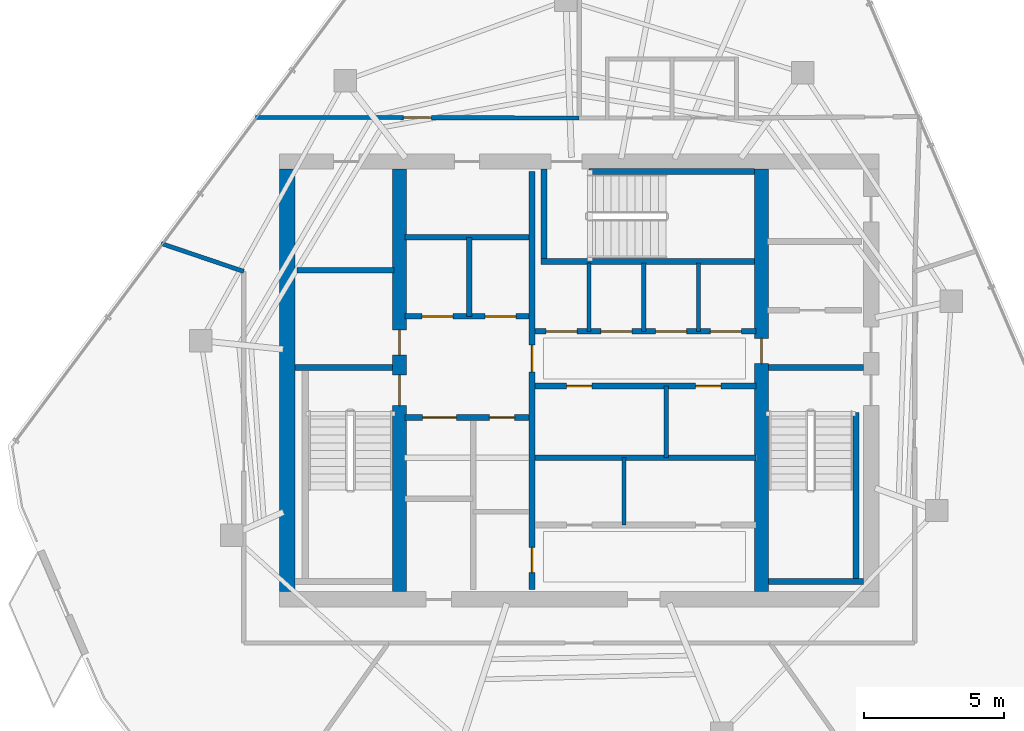
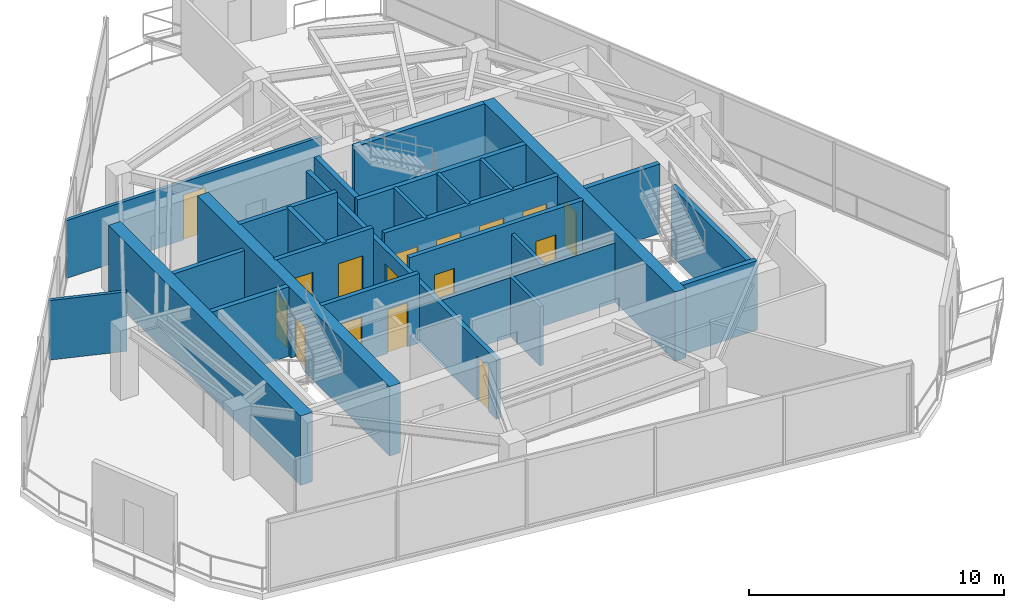
# One storey, part 14 of 18: 26 walls, 16 doors, 16 openings.
"""IFC4 building model written with IfcOpenShell, lengths in metres."""

from ifc_helpers import new_model, si_unit, direction, frame, frame_2d, origin, place, context, subcontext, project, spatial, rectangle, extrude, material, layer, layer_set, type_object, element, fill, save


model = new_model("IFC4")

# Units and contexts
model_context = context("Model", 3, precision=1e-05, world=origin(), true_north=direction((0.0, 1.0)))
body_context = subcontext(model_context, "Body", "Model", "MODEL_VIEW")
ifc_project = project(units=[si_unit("LENGTHUNIT", "METRE"), si_unit("AREAUNIT", "SQUARE_METRE"), si_unit("VOLUMEUNIT", "CUBIC_METRE"), si_unit("PLANEANGLEUNIT", "RADIAN"), si_unit("MASSUNIT", "GRAM", prefix="KILO")], contexts=[model_context])

# Site, building, storey
site_placement = place(None, origin())
site = spatial("IfcSite", under=ifc_project, at=site_placement, CompositionType="ELEMENT")
building_placement = place(site_placement, origin())
building = spatial("IfcBuilding", under=site, at=building_placement, Name="Qarnah Convention Tower", CompositionType="ELEMENT")
storey_placement = place(building_placement, frame((0.0, 0.0, 267.89990234375)))
storey = spatial("IfcBuildingStorey", under=building, at=storey_placement, Name="L72", CompositionType="ELEMENT", Elevation=267.89990234375)

# Wall
ifc_material_1 = material(Name="Concrete C60/75", Category="concrete")
ifc_layer_1 = layer(ifc_material_1, 0.550048828125)
ifc_layer_set_1 = layer_set([ifc_layer_1], Name="Concrete C60/75")
wall_type_1 = type_object("IfcWallType", Name="WL-CORE-550", PredefinedType="SHEAR", material=ifc_layer_set_1)
wall_1_placement = place(storey_placement, frame((26.800048828125, 18.875, 0.0), z_axis=(0.0, 0.0, 1.0), x_axis=(0.0, 1.0, 0.0)))
element("IfcWall", 1, at=wall_1_placement, inside=storey, type_object=wall_type_1, Name="L72 core west shear wall", PredefinedType="SHEAR", context=body_context, shape_type="SweptSolid", body=[
    extrude(rectangle(XDim=15.050048828125, YDim=0.550048828125, at=frame_2d((7.52490234375, 0.0))), origin(), (0.0, 0.0, 1.0), 3.320068359375),
])

# Wall, openings, doors
ifc_layer_2 = layer(ifc_material_1, 0.5)
ifc_layer_set_2 = layer_set([ifc_layer_2], Name="Concrete C60/75")
wall_type_2 = type_object("IfcWallType", Name="WL-CORE-INT-400", PredefinedType="SHEAR", material=ifc_layer_set_2)
wall_2_placement = place(storey_placement, frame((30.800048828125, 18.875, 0.0), z_axis=(0.0, 0.0, 1.0), x_axis=(0.0, 1.0, 0.0)))
wall_2 = element("IfcWall", 2, at=wall_2_placement, inside=storey, type_object=wall_type_2, Name="L72 core west spine shear wall", PredefinedType="SHEAR", context=body_context, shape_type="SweptSolid", body=[
    extrude(rectangle(XDim=15.050048828125, YDim=0.5, at=frame_2d((7.52490234375, 0.0))), origin(), (0.0, 0.0, 1.0), 3.320068359375),
])
opening_1_placement = place(wall_2_placement, frame((6.625, 0.0, 0.0)))
opening_1 = element("IfcOpeningElement", 3, at=opening_1_placement, cuts=wall_2, Name="Opening D-7201", PredefinedType="OPENING", context=body_context, shape_type="SweptSolid", body=[
    extrude(rectangle(XDim=1.10009765625, YDim=2.14990234375, at=frame_2d((0.550048828125, 1.074951171875))), frame((0.0, 0.260009765625, 0.0), z_axis=(0.0, -1.0, 0.0), x_axis=(1.0, 0.0, 0.0)), (0.0, 0.0, 1.0), 0.52001953125),
])
opening_2_placement = place(wall_2_placement, frame((8.425048828125, 0.0, 0.0)))
opening_2 = element("IfcOpeningElement", 4, at=opening_2_placement, cuts=wall_2, Name="Opening D-7208", PredefinedType="OPENING", context=body_context, shape_type="SweptSolid", body=[
    extrude(rectangle(XDim=0.89990234375, YDim=2.10009765625, at=frame_2d((0.449951171875, 1.050048828125))), frame((0.0, 0.260009765625, 0.0), z_axis=(0.0, -1.0, 0.0), x_axis=(1.0, 0.0, 0.0)), (0.0, 0.0, 1.0), 0.52001953125),
])
ifc_material_2 = material(Name="Structural steel S355JR", Category="steel")
door_type_1 = type_object("IfcDoorType", Name="DT-RISER-900", OperationType="NOTDEFINED", PredefinedType="DOOR", material=ifc_material_2)
door_1_placement = place(opening_2_placement, origin())
door_1 = element("IfcDoor", 5, at=door_1_placement, inside=storey, type_object=door_type_1, Name="Door D-7208", OperationType="SINGLE_SWING_RIGHT", OverallHeight=2.10009765625, OverallWidth=0.89990234375, PredefinedType="DOOR", context=body_context, shape_type="SweptSolid", body=[
    extrude(rectangle(XDim=0.89990234375, YDim=2.10009765625, at=frame_2d((0.449951171875, 1.050048828125))), frame((0.0, 0.02490234375, 0.0), z_axis=(0.0, -1.0, 0.0), x_axis=(1.0, 0.0, 0.0)), (0.0, 0.0, 1.0), 0.050048828125),
])
fill(opening_2, door_1)
door_type_2 = type_object("IfcDoorType", Name="DT-STAIR-1100", OperationType="NOTDEFINED", PredefinedType="DOOR", material=ifc_material_2)
door_2_placement = place(opening_1_placement, origin())
door_2 = element("IfcDoor", 6, at=door_2_placement, inside=storey, type_object=door_type_2, Name="Door D-7201", OperationType="SINGLE_SWING_LEFT", OverallHeight=2.14990234375, OverallWidth=1.10009765625, PredefinedType="DOOR", context=body_context, shape_type="SweptSolid", body=[
    extrude(rectangle(XDim=1.10009765625, YDim=2.14990234375, at=frame_2d((0.550048828125, 1.074951171875))), frame((0.0, 0.02490234375, 0.0), z_axis=(0.0, -1.0, 0.0), x_axis=(1.0, 0.0, 0.0)), (0.0, 0.0, 1.0), 0.050048828125),
])
fill(opening_1, door_2)

# Wall, opening, door
wall_3_placement = place(storey_placement, frame((43.699951171875, 18.875, 0.0), z_axis=(0.0, 0.0, 1.0), x_axis=(0.0, 1.0, 0.0)))
wall_3 = element("IfcWall", 7, at=wall_3_placement, inside=storey, type_object=wall_type_2, Name="L72 core east spine shear wall", PredefinedType="SHEAR", context=body_context, shape_type="SweptSolid", body=[
    extrude(rectangle(XDim=15.050048828125, YDim=0.5, at=frame_2d((7.52490234375, 0.0))), origin(), (0.0, 0.0, 1.0), 3.320068359375),
])
opening_3_placement = place(wall_3_placement, frame((8.125, 0.0, 0.0)))
opening_3 = element("IfcOpeningElement", 8, at=opening_3_placement, cuts=wall_3, Name="Opening D-7205", PredefinedType="OPENING", context=body_context, shape_type="SweptSolid", body=[
    extrude(rectangle(XDim=0.89990234375, YDim=2.10009765625, at=frame_2d((0.449951171875, 1.050048828125))), frame((0.0, 0.260009765625, 0.0), z_axis=(0.0, -1.0, 0.0), x_axis=(1.0, 0.0, 0.0)), (0.0, 0.0, 1.0), 0.52001953125),
])
door_3_placement = place(opening_3_placement, origin())
door_3 = element("IfcDoor", 9, at=door_3_placement, inside=storey, type_object=door_type_1, Name="Door D-7205", OperationType="SINGLE_SWING_LEFT", OverallHeight=2.10009765625, OverallWidth=0.89990234375, PredefinedType="DOOR", context=body_context, shape_type="SweptSolid", body=[
    extrude(rectangle(XDim=0.89990234375, YDim=2.10009765625, at=frame_2d((0.449951171875, 1.050048828125))), frame((0.0, 0.02490234375, 0.0), z_axis=(0.0, -1.0, 0.0), x_axis=(1.0, 0.0, 0.0)), (0.0, 0.0, 1.0), 0.050048828125),
])
fill(opening_3, door_3)

# Wall
ifc_material_3 = material(Name="Concrete C45/55", Category="concrete")
ifc_layer_3 = layer(ifc_material_3, 0.199951171875)
ifc_layer_set_3 = layer_set([ifc_layer_3], Name="Concrete C45/55")
wall_type_3 = type_object("IfcWallType", Name="WL-CORE-PART-200", PredefinedType="SOLIDWALL", material=ifc_layer_set_3)
wall_4_placement = place(storey_placement, frame((27.14990234375, 30.320068359375, 0.0), z_axis=(0.0, 0.0, 1.0), x_axis=(1.0, 0.0, 0.0)))
element("IfcWall", 10, at=wall_4_placement, inside=storey, type_object=wall_type_3, Name="L72 interior wall IW-L72-ELRN", PredefinedType="SOLIDWALL", context=body_context, shape_type="SweptSolid", body=[
    extrude(rectangle(XDim=3.4501953125, YDim=0.199951171875, at=frame_2d((1.72509765625, 0.0))), origin(), (0.0, 0.0, 1.0), 2.94921875),
])

# Wall, openings, doors
wall_5_placement = place(storey_placement, frame((35.52001953125, 18.949951171875, 0.0), z_axis=(0.0, 0.0, 1.0), x_axis=(0.0, 1.0, 0.0)))
wall_5 = element("IfcWall", 11, at=wall_5_placement, inside=storey, type_object=wall_type_3, Name="L72 interior wall IW-L72-CSP", PredefinedType="SOLIDWALL", context=body_context, shape_type="SweptSolid", body=[
    extrude(rectangle(XDim=14.900146484375, YDim=0.199951171875, at=frame_2d((7.4501953125, 0.0))), origin(), (0.0, 0.0, 1.0), 2.841064453125),
])
opening_4_placement = place(wall_5_placement, frame((7.7548828125, 0.0, 0.0)))
opening_4 = element("IfcOpeningElement", 12, at=opening_4_placement, cuts=wall_5, Name="Opening D-7204", PredefinedType="OPENING", context=body_context, shape_type="SweptSolid", body=[
    extrude(rectangle(XDim=0.949951171875, YDim=2.14990234375, at=frame_2d((0.47509765625, 1.074951171875))), frame((0.0, 0.10986328125, 0.0), z_axis=(0.0, -1.0, 0.0), x_axis=(1.0, 0.0, 0.0)), (0.0, 0.0, 1.0), 0.219970703125),
])
opening_5_placement = place(wall_5_placement, frame((0.60009765625, 0.0, 0.0)))
opening_5 = element("IfcOpeningElement", 13, at=opening_5_placement, cuts=wall_5, Name="Opening D-7214", PredefinedType="OPENING", context=body_context, shape_type="SweptSolid", body=[
    extrude(rectangle(XDim=0.89990234375, YDim=2.10009765625, at=frame_2d((0.449951171875, 1.050048828125))), frame((0.0, 0.10986328125, 0.0), z_axis=(0.0, -1.0, 0.0), x_axis=(1.0, 0.0, 0.0)), (0.0, 0.0, 1.0), 0.219970703125),
])
ifc_material_4 = material(Name="Oak timber veneer", Category="wood")
door_type_3 = type_object("IfcDoorType", Name="DT-HOTEL-950", OperationType="NOTDEFINED", PredefinedType="DOOR", material=ifc_material_4)
door_4_placement = place(opening_4_placement, origin())
door_4 = element("IfcDoor", 14, at=door_4_placement, inside=storey, type_object=door_type_3, Name="Door D-7204", OperationType="SINGLE_SWING_RIGHT", OverallHeight=2.14990234375, OverallWidth=0.949951171875, PredefinedType="DOOR", context=body_context, shape_type="SweptSolid", body=[
    extrude(rectangle(XDim=0.949951171875, YDim=2.14990234375, at=frame_2d((0.47509765625, 1.074951171875))), frame((0.0, 0.02490234375, 0.0), z_axis=(0.0, -1.0, 0.0), x_axis=(1.0, 0.0, 0.0)), (0.0, 0.0, 1.0), 0.050048828125),
])
fill(opening_4, door_4)
door_5_placement = place(opening_5_placement, origin())
door_5 = element("IfcDoor", 15, at=door_5_placement, inside=storey, type_object=door_type_1, Name="Door D-7214", OperationType="SINGLE_SWING_RIGHT", OverallHeight=2.10009765625, OverallWidth=0.89990234375, PredefinedType="DOOR", context=body_context, shape_type="SweptSolid", body=[
    extrude(rectangle(XDim=0.89990234375, YDim=2.10009765625, at=frame_2d((0.449951171875, 1.050048828125))), frame((0.0, 0.02490234375, 0.0), z_axis=(0.0, -1.0, 0.0), x_axis=(1.0, 0.0, 0.0)), (0.0, 0.0, 1.0), 0.050048828125),
])
fill(opening_5, door_5)

wall_6_placement = place(storey_placement, frame((31.0, 28.679931640625, 0.0), z_axis=(0.0, 0.0, 1.0), x_axis=(1.0, 0.0, 0.0)))
wall_6 = element("IfcWall", 16, at=wall_6_placement, inside=storey, type_object=wall_type_3, Name="L72 interior wall IW-L72-FFLS", PredefinedType="SOLIDWALL", context=body_context, shape_type="SweptSolid", body=[
    extrude(rectangle(XDim=4.419921875, YDim=0.199951171875, at=frame_2d((2.2099609375, 0.0))), origin(), (0.0, 0.0, 1.0), 3.320068359375),
])
opening_6_placement = place(wall_6_placement, frame((0.60009765625, 0.0, 0.0)))
opening_6 = element("IfcOpeningElement", 17, at=opening_6_placement, cuts=wall_6, Name="Opening LD-7201", PredefinedType="OPENING", context=body_context, shape_type="SweptSolid", body=[
    extrude(rectangle(XDim=1.10009765625, YDim=2.14990234375, at=frame_2d((0.550048828125, 1.074951171875))), frame((0.0, 0.10986328125, 0.0), z_axis=(0.0, -1.0, 0.0), x_axis=(1.0, 0.0, 0.0)), (0.0, 0.0, 1.0), 0.219970703125),
])
opening_7_placement = place(wall_6_placement, frame((2.85009765625, 0.0, 0.0)))
opening_7 = element("IfcOpeningElement", 18, at=opening_7_placement, cuts=wall_6, Name="Opening LD-7202", PredefinedType="OPENING", context=body_context, shape_type="SweptSolid", body=[
    extrude(rectangle(XDim=1.10009765625, YDim=2.14990234375, at=frame_2d((0.550048828125, 1.074951171875))), frame((0.0, 0.10986328125, 0.0), z_axis=(0.0, -1.0, 0.0), x_axis=(1.0, 0.0, 0.0)), (0.0, 0.0, 1.0), 0.219970703125),
])
door_type_4 = type_object("IfcDoorType", Name="DT-LIFT-1100", OperationType="SLIDING_TO_LEFT", PredefinedType="DOOR", material=ifc_material_2)
door_6_placement = place(opening_6_placement, origin())
door_6 = element("IfcDoor", 19, at=door_6_placement, inside=storey, type_object=door_type_4, Name="Door LD-7201", OperationType="SLIDING_TO_LEFT", OverallHeight=2.14990234375, OverallWidth=1.10009765625, PredefinedType="DOOR", context=body_context, shape_type="SweptSolid", body=[
    extrude(rectangle(XDim=1.10009765625, YDim=2.14990234375, at=frame_2d((0.550048828125, 1.074951171875))), frame((0.0, 0.02490234375, 0.0), z_axis=(0.0, -1.0, 0.0), x_axis=(1.0, 0.0, 0.0)), (0.0, 0.0, 1.0), 0.050048828125),
])
fill(opening_6, door_6)
door_7_placement = place(opening_7_placement, origin())
door_7 = element("IfcDoor", 20, at=door_7_placement, inside=storey, type_object=door_type_4, Name="Door LD-7202", OperationType="SLIDING_TO_LEFT", OverallHeight=2.14990234375, OverallWidth=1.10009765625, PredefinedType="DOOR", context=body_context, shape_type="SweptSolid", body=[
    extrude(rectangle(XDim=1.10009765625, YDim=2.14990234375, at=frame_2d((0.550048828125, 1.074951171875))), frame((0.0, 0.02490234375, 0.0), z_axis=(0.0, -1.0, 0.0), x_axis=(1.0, 0.0, 0.0)), (0.0, 0.0, 1.0), 0.050048828125),
])
fill(opening_7, door_7)

# Walls
wall_7_placement = place(storey_placement, frame((31.0, 31.5, 0.0), z_axis=(0.0, 0.0, 1.0), x_axis=(1.0, 0.0, 0.0)))
element("IfcWall", 21, at=wall_7_placement, inside=storey, type_object=wall_type_3, Name="L72 interior wall IW-L72-FFLN", PredefinedType="SOLIDWALL", context=body_context, shape_type="SweptSolid", body=[
    extrude(rectangle(XDim=4.419921875, YDim=0.199951171875, at=frame_2d((2.2099609375, 0.0))), origin(), (0.0, 0.0, 1.0), 3.320068359375),
])
wall_8_placement = place(storey_placement, frame((33.280029296875, 28.679931640625, 0.0), z_axis=(0.0, 0.0, 1.0), x_axis=(0.0, 1.0, 0.0)))
element("IfcWall", 22, at=wall_8_placement, inside=storey, type_object=wall_type_3, Name="L72 interior wall IW-L72-FFLM", PredefinedType="SOLIDWALL", context=body_context, shape_type="SweptSolid", body=[
    extrude(rectangle(XDim=2.820068359375, YDim=0.199951171875, at=frame_2d((1.41015625, 0.0))), origin(), (0.0, 0.0, 1.0), 3.320068359375),
])

# Wall, openings, doors
wall_9_placement = place(storey_placement, frame((31.0, 25.080078125, 0.0), z_axis=(0.0, 0.0, 1.0), x_axis=(1.0, 0.0, 0.0)))
wall_9 = element("IfcWall", 23, at=wall_9_placement, inside=storey, type_object=wall_type_3, Name="L72 interior wall IW-L72-FFLBS", PredefinedType="SOLIDWALL", context=body_context, shape_type="SweptSolid", body=[
    extrude(rectangle(XDim=4.419921875, YDim=0.199951171875, at=frame_2d((2.2099609375, 0.0))), origin(), (0.0, 0.0, 1.0), 3.320068359375),
])
opening_8_placement = place(wall_9_placement, frame((3.0, 0.0, 0.0)))
opening_8 = element("IfcOpeningElement", 24, at=opening_8_placement, cuts=wall_9, Name="Opening D-7215", PredefinedType="OPENING", context=body_context, shape_type="SweptSolid", body=[
    extrude(rectangle(XDim=0.89990234375, YDim=2.10009765625, at=frame_2d((0.449951171875, 1.050048828125))), frame((0.0, 0.10986328125, 0.0), z_axis=(0.0, -1.0, 0.0), x_axis=(1.0, 0.0, 0.0)), (0.0, 0.0, 1.0), 0.219970703125),
])
opening_9_placement = place(wall_9_placement, frame((0.6201171875, 0.0, 0.0)))
opening_9 = element("IfcOpeningElement", 25, at=opening_9_placement, cuts=wall_9, Name="Opening LD-7203", PredefinedType="OPENING", context=body_context, shape_type="SweptSolid", body=[
    extrude(rectangle(XDim=1.199951171875, YDim=2.14990234375, at=frame_2d((0.60009765625, 1.074951171875))), frame((0.0, 0.10986328125, 0.0), z_axis=(0.0, -1.0, 0.0), x_axis=(1.0, 0.0, 0.0)), (0.0, 0.0, 1.0), 0.219970703125),
])
door_type_5 = type_object("IfcDoorType", Name="DT-LIFT-1200", OperationType="SLIDING_TO_LEFT", PredefinedType="DOOR", material=ifc_material_2)
door_8_placement = place(opening_9_placement, origin())
door_8 = element("IfcDoor", 26, at=door_8_placement, inside=storey, type_object=door_type_5, Name="Door LD-7203", OperationType="SLIDING_TO_LEFT", OverallHeight=2.14990234375, OverallWidth=1.199951171875, PredefinedType="DOOR", context=body_context, shape_type="SweptSolid", body=[
    extrude(rectangle(XDim=1.199951171875, YDim=2.14990234375, at=frame_2d((0.60009765625, 1.074951171875))), frame((0.0, 0.02490234375, 0.0), z_axis=(0.0, -1.0, 0.0), x_axis=(1.0, 0.0, 0.0)), (0.0, 0.0, 1.0), 0.050048828125),
])
fill(opening_9, door_8)
door_9_placement = place(opening_8_placement, origin())
door_9 = element("IfcDoor", 27, at=door_9_placement, inside=storey, type_object=door_type_1, Name="Door D-7215", OperationType="SINGLE_SWING_LEFT", OverallHeight=2.10009765625, OverallWidth=0.89990234375, PredefinedType="DOOR", context=body_context, shape_type="SweptSolid", body=[
    extrude(rectangle(XDim=0.89990234375, YDim=2.10009765625, at=frame_2d((0.449951171875, 1.050048828125))), frame((0.0, 0.02490234375, 0.0), z_axis=(0.0, -1.0, 0.0), x_axis=(1.0, 0.0, 0.0)), (0.0, 0.0, 1.0), 0.050048828125),
])
fill(opening_8, door_9)

wall_10_placement = place(storey_placement, frame((35.6201171875, 28.14990234375, 0.0), z_axis=(0.0, 0.0, 1.0), x_axis=(1.0, 0.0, 0.0)))
wall_10 = element("IfcWall", 28, at=wall_10_placement, inside=storey, type_object=wall_type_3, Name="L72 interior wall IW-L72-PHS", PredefinedType="SOLIDWALL", context=body_context, shape_type="SweptSolid", body=[
    extrude(rectangle(XDim=7.8798828125, YDim=0.199951171875, at=frame_2d((3.93994140625, 0.0))), origin(), (0.0, 0.0, 1.0), 3.320068359375),
])
opening_10_placement = place(wall_10_placement, frame((0.405029296875, 0.0, 0.0)))
opening_10 = element("IfcOpeningElement", 29, at=opening_10_placement, cuts=wall_10, Name="Opening LD-7204", PredefinedType="OPENING", context=body_context, shape_type="SweptSolid", body=[
    extrude(rectangle(XDim=1.10009765625, YDim=2.14990234375, at=frame_2d((0.550048828125, 1.074951171875))), frame((0.0, 0.10986328125, 0.0), z_axis=(0.0, -1.0, 0.0), x_axis=(1.0, 0.0, 0.0)), (0.0, 0.0, 1.0), 0.219970703125),
])
opening_11_placement = place(wall_10_placement, frame((2.35498046875, 0.0, 0.0)))
opening_11 = element("IfcOpeningElement", 30, at=opening_11_placement, cuts=wall_10, Name="Opening LD-7205", PredefinedType="OPENING", context=body_context, shape_type="SweptSolid", body=[
    extrude(rectangle(XDim=1.10009765625, YDim=2.14990234375, at=frame_2d((0.550048828125, 1.074951171875))), frame((0.0, 0.10986328125, 0.0), z_axis=(0.0, -1.0, 0.0), x_axis=(1.0, 0.0, 0.0)), (0.0, 0.0, 1.0), 0.219970703125),
])
opening_12_placement = place(wall_10_placement, frame((4.304931640625, 0.0, 0.0)))
opening_12 = element("IfcOpeningElement", 31, at=opening_12_placement, cuts=wall_10, Name="Opening LD-7206", PredefinedType="OPENING", context=body_context, shape_type="SweptSolid", body=[
    extrude(rectangle(XDim=1.10009765625, YDim=2.14990234375, at=frame_2d((0.550048828125, 1.074951171875))), frame((0.0, 0.10986328125, 0.0), z_axis=(0.0, -1.0, 0.0), x_axis=(1.0, 0.0, 0.0)), (0.0, 0.0, 1.0), 0.219970703125),
])
opening_13_placement = place(wall_10_placement, frame((6.2548828125, 0.0, 0.0)))
opening_13 = element("IfcOpeningElement", 32, at=opening_13_placement, cuts=wall_10, Name="Opening LD-7207", PredefinedType="OPENING", context=body_context, shape_type="SweptSolid", body=[
    extrude(rectangle(XDim=1.10009765625, YDim=2.14990234375, at=frame_2d((0.550048828125, 1.074951171875))), frame((0.0, 0.10986328125, 0.0), z_axis=(0.0, -1.0, 0.0), x_axis=(1.0, 0.0, 0.0)), (0.0, 0.0, 1.0), 0.219970703125),
])
door_10_placement = place(opening_10_placement, origin())
door_10 = element("IfcDoor", 33, at=door_10_placement, inside=storey, type_object=door_type_4, Name="Door LD-7204", OperationType="SLIDING_TO_LEFT", OverallHeight=2.14990234375, OverallWidth=1.10009765625, PredefinedType="DOOR", context=body_context, shape_type="SweptSolid", body=[
    extrude(rectangle(XDim=1.10009765625, YDim=2.14990234375, at=frame_2d((0.550048828125, 1.074951171875))), frame((0.0, 0.02490234375, 0.0), z_axis=(0.0, -1.0, 0.0), x_axis=(1.0, 0.0, 0.0)), (0.0, 0.0, 1.0), 0.050048828125),
])
fill(opening_10, door_10)
door_11_placement = place(opening_11_placement, origin())
door_11 = element("IfcDoor", 34, at=door_11_placement, inside=storey, type_object=door_type_4, Name="Door LD-7205", OperationType="SLIDING_TO_LEFT", OverallHeight=2.14990234375, OverallWidth=1.10009765625, PredefinedType="DOOR", context=body_context, shape_type="SweptSolid", body=[
    extrude(rectangle(XDim=1.10009765625, YDim=2.14990234375, at=frame_2d((0.550048828125, 1.074951171875))), frame((0.0, 0.02490234375, 0.0), z_axis=(0.0, -1.0, 0.0), x_axis=(1.0, 0.0, 0.0)), (0.0, 0.0, 1.0), 0.050048828125),
])
fill(opening_11, door_11)
door_12_placement = place(opening_12_placement, origin())
door_12 = element("IfcDoor", 35, at=door_12_placement, inside=storey, type_object=door_type_4, Name="Door LD-7206", OperationType="SLIDING_TO_LEFT", OverallHeight=2.14990234375, OverallWidth=1.10009765625, PredefinedType="DOOR", context=body_context, shape_type="SweptSolid", body=[
    extrude(rectangle(XDim=1.10009765625, YDim=2.14990234375, at=frame_2d((0.550048828125, 1.074951171875))), frame((0.0, 0.02490234375, 0.0), z_axis=(0.0, -1.0, 0.0), x_axis=(1.0, 0.0, 0.0)), (0.0, 0.0, 1.0), 0.050048828125),
])
fill(opening_12, door_12)
door_13_placement = place(opening_13_placement, origin())
door_13 = element("IfcDoor", 36, at=door_13_placement, inside=storey, type_object=door_type_4, Name="Door LD-7207", OperationType="SLIDING_TO_LEFT", OverallHeight=2.14990234375, OverallWidth=1.10009765625, PredefinedType="DOOR", context=body_context, shape_type="SweptSolid", body=[
    extrude(rectangle(XDim=1.10009765625, YDim=2.14990234375, at=frame_2d((0.550048828125, 1.074951171875))), frame((0.0, 0.02490234375, 0.0), z_axis=(0.0, -1.0, 0.0), x_axis=(1.0, 0.0, 0.0)), (0.0, 0.0, 1.0), 0.050048828125),
])
fill(opening_13, door_13)

wall_11_placement = place(storey_placement, frame((35.6201171875, 26.199951171875, 0.0), z_axis=(0.0, 0.0, 1.0), x_axis=(1.0, 0.0, 0.0)))
wall_11 = element("IfcWall", 37, at=wall_11_placement, inside=storey, type_object=wall_type_3, Name="L72 interior wall IW-L72-PMN", PredefinedType="SOLIDWALL", context=body_context, shape_type="SweptSolid", body=[
    extrude(rectangle(XDim=7.8798828125, YDim=0.199951171875, at=frame_2d((3.93994140625, 0.0))), origin(), (0.0, 0.0, 1.0), 3.320068359375),
])
opening_14_placement = place(wall_11_placement, frame((1.1298828125, 0.0, 0.0)))
opening_14 = element("IfcOpeningElement", 38, at=opening_14_placement, cuts=wall_11, Name="Opening D-7218", PredefinedType="OPENING", context=body_context, shape_type="SweptSolid", body=[
    extrude(rectangle(XDim=0.89990234375, YDim=2.10009765625, at=frame_2d((0.449951171875, 1.050048828125))), frame((0.0, 0.10986328125, 0.0), z_axis=(0.0, -1.0, 0.0), x_axis=(1.0, 0.0, 0.0)), (0.0, 0.0, 1.0), 0.219970703125),
])
opening_15_placement = place(wall_11_placement, frame((5.72998046875, 0.0, 0.0)))
opening_15 = element("IfcOpeningElement", 39, at=opening_15_placement, cuts=wall_11, Name="Opening D-7219", PredefinedType="OPENING", context=body_context, shape_type="SweptSolid", body=[
    extrude(rectangle(XDim=0.89990234375, YDim=2.10009765625, at=frame_2d((0.449951171875, 1.050048828125))), frame((0.0, 0.10986328125, 0.0), z_axis=(0.0, -1.0, 0.0), x_axis=(1.0, 0.0, 0.0)), (0.0, 0.0, 1.0), 0.219970703125),
])
door_14_placement = place(opening_14_placement, origin())
door_14 = element("IfcDoor", 40, at=door_14_placement, inside=storey, type_object=door_type_1, Name="Door D-7218", OperationType="SINGLE_SWING_RIGHT", OverallHeight=2.10009765625, OverallWidth=0.89990234375, PredefinedType="DOOR", context=body_context, shape_type="SweptSolid", body=[
    extrude(rectangle(XDim=0.89990234375, YDim=2.10009765625, at=frame_2d((0.449951171875, 1.050048828125))), frame((0.0, 0.02490234375, 0.0), z_axis=(0.0, -1.0, 0.0), x_axis=(1.0, 0.0, 0.0)), (0.0, 0.0, 1.0), 0.050048828125),
])
fill(opening_14, door_14)
door_15_placement = place(opening_15_placement, origin())
door_15 = element("IfcDoor", 41, at=door_15_placement, inside=storey, type_object=door_type_1, Name="Door D-7219", OperationType="SINGLE_SWING_LEFT", OverallHeight=2.10009765625, OverallWidth=0.89990234375, PredefinedType="DOOR", context=body_context, shape_type="SweptSolid", body=[
    extrude(rectangle(XDim=0.89990234375, YDim=2.10009765625, at=frame_2d((0.449951171875, 1.050048828125))), frame((0.0, 0.02490234375, 0.0), z_axis=(0.0, -1.0, 0.0), x_axis=(1.0, 0.0, 0.0)), (0.0, 0.0, 1.0), 0.050048828125),
])
fill(opening_15, door_15)

# Walls
wall_12_placement = place(storey_placement, frame((35.6201171875, 23.64990234375, 0.0), z_axis=(0.0, 0.0, 1.0), x_axis=(1.0, 0.0, 0.0)))
element("IfcWall", 42, at=wall_12_placement, inside=storey, type_object=wall_type_3, Name="L72 interior wall IW-L72-PMPL", PredefinedType="SOLIDWALL", context=body_context, shape_type="SweptSolid", body=[
    extrude(rectangle(XDim=7.8798828125, YDim=0.199951171875, at=frame_2d((3.93994140625, 0.0))), origin(), (0.0, 0.0, 1.0), 2.841064453125),
])
ifc_layer_4 = layer(ifc_material_1, 0.219970703125)
ifc_layer_set_4 = layer_set([ifc_layer_4], Name="Concrete C60/75")
wall_type_4 = type_object("IfcWallType", Name="WL-CORE-STAIR-220", PredefinedType="SHEAR", material=ifc_layer_set_4)
wall_13_placement = place(storey_placement, frame((27.074951171875, 26.860107421875, 0.0), z_axis=(0.0, 0.0, 1.0), x_axis=(1.0, 0.0, 0.0)))
element("IfcWall", 43, at=wall_13_placement, inside=storey, type_object=wall_type_4, Name="L72 stair shaft shear wall SW-L72-ST1N", PredefinedType="SHEAR", context=body_context, shape_type="SweptSolid", body=[
    extrude(rectangle(XDim=3.47509765625, YDim=0.219970703125, at=frame_2d((1.737548828125, 0.0))), origin(), (0.0, 0.0, 1.0), 3.320068359375),
])
wall_14_placement = place(storey_placement, frame((43.949951171875, 26.860107421875, 0.0), z_axis=(0.0, 0.0, 1.0), x_axis=(1.0, 0.0, 0.0)))
element("IfcWall", 44, at=wall_14_placement, inside=storey, type_object=wall_type_4, Name="L72 stair shaft shear wall SW-L72-ST2N", PredefinedType="SHEAR", context=body_context, shape_type="SweptSolid", body=[
    extrude(rectangle(XDim=3.375, YDim=0.219970703125, at=frame_2d((1.6875, 0.0))), origin(), (0.0, 0.0, 1.0), 3.320068359375),
])
wall_15_placement = place(storey_placement, frame((47.06005859375, 19.35009765625, 0.0), z_axis=(0.0, 0.0, 1.0), x_axis=(0.0, 1.0, 0.0)))
element("IfcWall", 45, at=wall_15_placement, inside=storey, type_object=wall_type_4, Name="L72 stair shaft shear wall SW-L72-ST2E", PredefinedType="SHEAR", context=body_context, shape_type="SweptSolid", body=[
    extrude(rectangle(XDim=5.89990234375, YDim=0.219970703125, at=frame_2d((2.949951171875, 0.0))), origin(), (0.0, 0.0, 1.0), 3.320068359375),
])
wall_16_placement = place(storey_placement, frame((43.949951171875, 19.239990234375, 0.0), z_axis=(0.0, 0.0, 1.0), x_axis=(1.0, 0.0, 0.0)))
element("IfcWall", 46, at=wall_16_placement, inside=storey, type_object=wall_type_4, Name="L72 stair shaft shear wall SW-L72-ST2S", PredefinedType="SHEAR", context=body_context, shape_type="SweptSolid", body=[
    extrude(rectangle(XDim=3.375, YDim=0.219970703125, at=frame_2d((1.6875, 0.0))), origin(), (0.0, 0.0, 1.0), 3.320068359375),
])
wall_17_placement = place(storey_placement, frame((35.840087890625, 30.639892578125, 0.0), z_axis=(0.0, 0.0, 1.0), x_axis=(1.0, 0.0, 0.0)))
element("IfcWall", 47, at=wall_17_placement, inside=storey, type_object=wall_type_4, Name="L72 stair shaft shear wall SW-L72-ST3S", PredefinedType="SHEAR", context=body_context, shape_type="SweptSolid", body=[
    extrude(rectangle(XDim=7.60986328125, YDim=0.219970703125, at=frame_2d((3.804931640625, 0.0))), origin(), (0.0, 0.0, 1.0), 3.320068359375),
])
wall_18_placement = place(storey_placement, frame((35.93994140625, 30.75, 0.0), z_axis=(0.0, 0.0, 1.0), x_axis=(0.0, 1.0, 0.0)))
element("IfcWall", 48, at=wall_18_placement, inside=storey, type_object=wall_type_4, Name="L72 stair shaft shear wall SW-L72-ST3W", PredefinedType="SHEAR", context=body_context, shape_type="SweptSolid", body=[
    extrude(rectangle(XDim=3.175048828125, YDim=0.219970703125, at=frame_2d((1.58740234375, 0.0))), origin(), (0.0, 0.0, 1.0), 3.320068359375),
])
wall_19_placement = place(storey_placement, frame((37.550048828125, 33.840087890625, 0.0), z_axis=(0.0, 0.0, 1.0), x_axis=(1.0, 0.0, 0.0)))
element("IfcWall", 49, at=wall_19_placement, inside=storey, type_object=wall_type_4, Name="L72 stair shaft shear wall SW-L72-ST3N", PredefinedType="SHEAR", context=body_context, shape_type="SweptSolid", body=[
    extrude(rectangle(XDim=5.89990234375, YDim=0.219970703125, at=frame_2d((2.949951171875, 0.0))), origin(), (0.0, 0.0, 1.0), 3.320068359375),
])
ifc_material_5 = material(Name="Gypsum partition board")
ifc_layer_5 = layer(ifc_material_5, 0.14990234375)
ifc_layer_set_5 = layer_set([ifc_layer_5], Name="Gypsum partition board")
wall_type_5 = type_object("IfcWallType", Name="WL-SUITE-150", PredefinedType="PARTITIONING", material=ifc_layer_set_5)
for number, where, z_axis, x_axis, name in (
    (50, (37.550048828125, 28.14990234375, 0.0), (0.0, 0.0, 1.0), (0.0, 1.0, 0.0), "L72 interior wall IW-L72-PHD1"),
    (51, (39.5, 28.14990234375, 0.0), (0.0, 0.0, 1.0), (0.0, 1.0, 0.0), "L72 interior wall IW-L72-PHD2"),
    (52, (41.449951171875, 28.14990234375, 0.0), (0.0, 0.0, 1.0), (0.0, 1.0, 0.0), "L72 interior wall IW-L72-PHD3"),
):
    element("IfcWall", number, at=place(storey_placement, frame(where, z_axis=z_axis, x_axis=x_axis)), inside=storey, type_object=wall_type_5, Name=name, PredefinedType="PARTITIONING", context=body_context, shape_type="SweptSolid", body=[
        extrude(rectangle(XDim=2.43017578125, YDim=0.14990234375, at=frame_2d((1.215087890625, 0.0))), origin(), (0.0, 0.0, 1.0), 3.320068359375),
    ])
wall_20_placement = place(storey_placement, frame((40.300048828125, 23.64990234375, 0.0), z_axis=(0.0, 0.0, 1.0), x_axis=(0.0, 1.0, 0.0)))
element("IfcWall", 53, at=wall_20_placement, inside=storey, type_object=wall_type_5, Name="L72 interior wall IW-L72-PMFD", PredefinedType="PARTITIONING", context=body_context, shape_type="SweptSolid", body=[
    extrude(rectangle(XDim=2.550048828125, YDim=0.14990234375, at=frame_2d((1.27490234375, 0.0))), origin(), (0.0, 0.0, 1.0), 2.841064453125),
])
wall_21_placement = place(storey_placement, frame((38.800048828125, 21.25, 0.0), z_axis=(0.0, 0.0, 1.0), x_axis=(0.0, 1.0, 0.0)))
element("IfcWall", 54, at=wall_21_placement, inside=storey, type_object=wall_type_5, Name="L72 interior wall IW-L72-PLFD", PredefinedType="PARTITIONING", context=body_context, shape_type="SweptSolid", body=[
    extrude(rectangle(XDim=2.39990234375, YDim=0.14990234375, at=frame_2d((1.199951171875, 0.0))), origin(), (0.0, 0.0, 1.0), 2.841064453125),
])

# Wall, opening, door
wall_22_placement = place(storey_placement, frame((25.6669921875, 35.77099609375, 0.0), z_axis=(0.0, 0.0, 1.0), x_axis=(0.99999834284, -0.00182052663, 0.0)))
wall_22 = element("IfcWall", 55, at=wall_22_placement, inside=storey, type_object=wall_type_5, Name="L72 interior wall IW-L72-R-13", PredefinedType="PARTITIONING", context=body_context, shape_type="SweptSolid", body=[
    extrude(rectangle(XDim=11.532958984375, YDim=0.14990234375, at=frame_2d((5.7666015625, 0.0))), origin(), (0.0, 0.0, 1.0), 2.76513671875),
])
opening_16_placement = place(wall_22_placement, frame((5.26708984375, 0.0, 0.0)))
opening_16 = element("IfcOpeningElement", 56, at=opening_16_placement, cuts=wall_22, Name="Opening D-7223", PredefinedType="OPENING", context=body_context, shape_type="SweptSolid", body=[
    extrude(rectangle(XDim=1.0, YDim=2.14990234375, at=frame_2d((0.5, 1.074951171875))), frame((0.0, 0.0849609375, 0.0), z_axis=(0.0, -1.0, 0.0), x_axis=(1.0, 0.0, 0.0)), (0.0, 0.0, 1.0), 0.169921875),
])
door_type_6 = type_object("IfcDoorType", Name="DT-OFFICE-1000", OperationType="NOTDEFINED", PredefinedType="DOOR", material=ifc_material_4)
door_16_placement = place(opening_16_placement, origin())
door_16 = element("IfcDoor", 57, at=door_16_placement, inside=storey, type_object=door_type_6, Name="Door D-7223", OperationType="SINGLE_SWING_LEFT", OverallHeight=2.14990234375, OverallWidth=1.0, PredefinedType="DOOR", context=body_context, shape_type="SweptSolid", body=[
    extrude(rectangle(XDim=1.0, YDim=2.14990234375, at=frame_2d((0.5, 1.074951171875))), frame((0.0, 0.02490234375, 0.0), z_axis=(0.0, -1.0, 0.0), x_axis=(1.0, 0.0, 0.0)), (0.0, 0.0, 1.0), 0.050048828125),
])
fill(opening_16, door_16)

# Wall
wall_23_placement = place(storey_placement, frame((25.25, 30.282958984375, 0.0), z_axis=(0.0, 0.0, 1.0), x_axis=(-0.947210089625, 0.320613546364, 0.0)))
element("IfcWall", 58, at=wall_23_placement, inside=storey, type_object=wall_type_5, Name="L72 interior wall IW-L72-R-17", PredefinedType="PARTITIONING", context=body_context, shape_type="SweptSolid", body=[
    extrude(rectangle(XDim=3.103759765625, YDim=0.14990234375, at=frame_2d((1.5517578125, 0.0))), origin(), (0.0, 0.0, 1.0), 2.84521484375),
])

save(model, "model.ifc")
